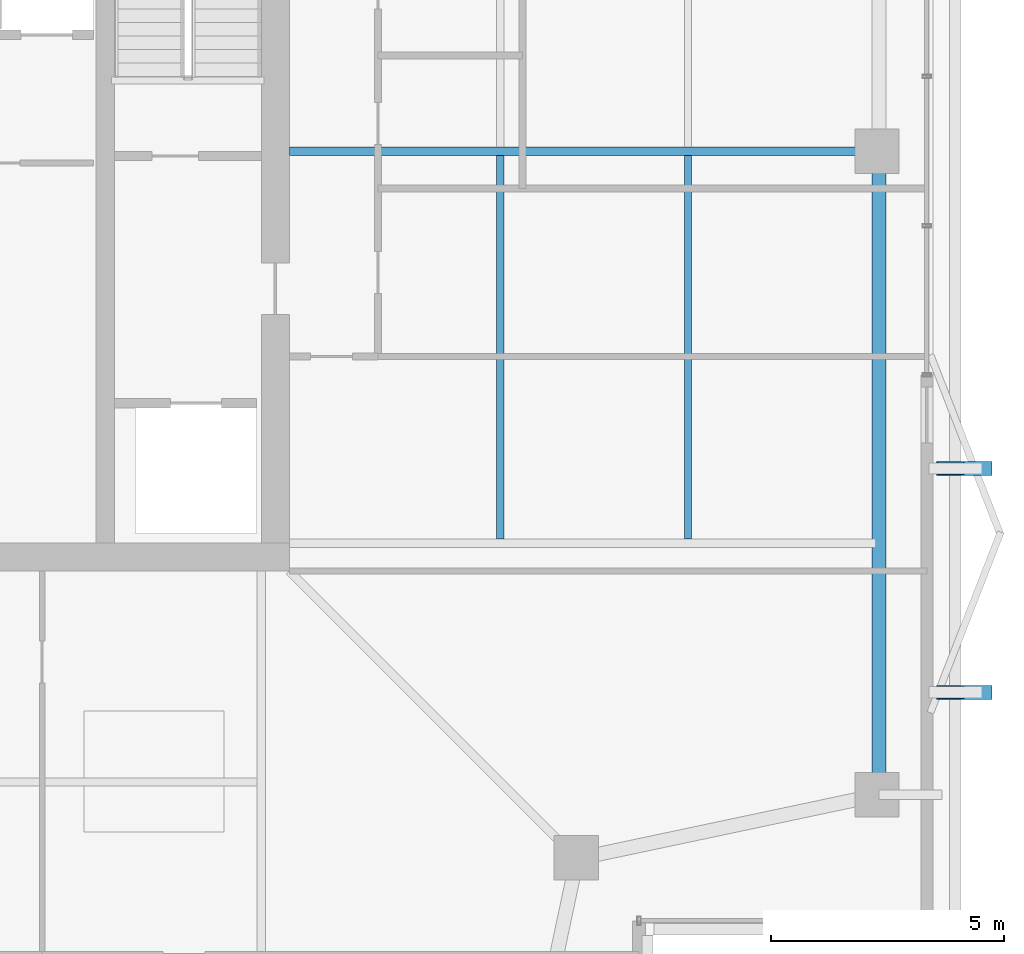
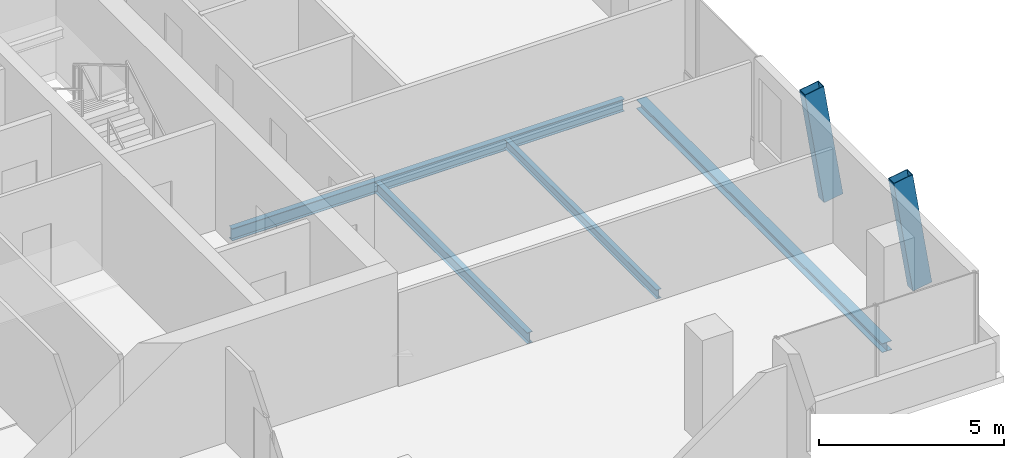
# One storey, part 10 of 26: 4 beams, 2 members.
"""IFC4 building model written with IfcOpenShell, lengths in metres."""

from ifc_helpers import new_model, si_unit, direction, frame, origin, origin_2d, place, context, subcontext, project, spatial, hollow_rectangle, i_section, extrude, material, material_profile, profile_set, type_object, element, save


model = new_model("IFC4")

# Units and contexts
model_context = context("Model", 3, precision=1e-05, world=origin(), true_north=direction((0.0, 1.0)))
body_context = subcontext(model_context, "Body", "Model", "MODEL_VIEW")
ifc_project = project(units=[si_unit("LENGTHUNIT", "METRE"), si_unit("AREAUNIT", "SQUARE_METRE"), si_unit("VOLUMEUNIT", "CUBIC_METRE"), si_unit("PLANEANGLEUNIT", "RADIAN"), si_unit("MASSUNIT", "GRAM", prefix="KILO")], contexts=[model_context])

# Site, building, storey
site_placement = place(None, origin())
site = spatial("IfcSite", under=ifc_project, at=site_placement, CompositionType="ELEMENT")
building_placement = place(site_placement, origin())
building = spatial("IfcBuilding", under=site, at=building_placement, Name="Belovzor Exchange Tower", CompositionType="ELEMENT")
storey_placement = place(building_placement, frame((0.0, 0.0, 295.5)))
storey = spatial("IfcBuildingStorey", under=building, at=storey_placement, Name="L73", CompositionType="ELEMENT", Elevation=295.5)

# Beams
ifc_material_1 = material(Name="Steel S355", Category="steel")
ifc_material_profile_1 = material_profile(ifc_material_1, i_section(OverallWidth=0.169921875, OverallDepth=0.360107421875, WebThickness=0.008056640625, FlangeThickness=0.0126953125, at=origin_2d()))
ifc_profile_set_1 = profile_set([ifc_material_profile_1], Name="Steel S355")
beam_type_1 = type_object("IfcBeamType", Name="Secondary Infill Floor Joist IPE 360", PredefinedType="BEAM", material=ifc_profile_set_1)
beam_1_placement = place(storey_placement, frame((42.322998046875, 20.489990234375, -0.419921875), z_axis=(0.0, 1.0, 0.0), x_axis=(-1.0, 0.0, 0.0)))
element("IfcBeam", 1, at=beam_1_placement, inside=storey, type_object=beam_type_1, Name="FJ-360 Secondary Infill Floor Joist IPE 360", PredefinedType="BEAM", context=body_context, shape_type="SweptSolid", body=[
    extrude(i_section(OverallWidth=0.169921875, OverallDepth=0.360107421875, WebThickness=0.008056640625, FlangeThickness=0.0126953125, at=origin_2d()), origin(), (0.0, 0.0, 1.0), 8.219970703125),
])
ifc_material_2 = material(Name="Steel S355", Category="steel")
ifc_material_profile_2 = material_profile(ifc_material_2, i_section(OverallWidth=0.14990234375, OverallDepth=0.300048828125, WebThickness=0.007080078125, FlangeThickness=0.0107421875, at=origin_2d()))
ifc_profile_set_2 = profile_set([ifc_material_profile_2], Name="Steel S355")
beam_type_2 = type_object("IfcBeamType", Name="Secondary Trim Floor Joist IPE 300", PredefinedType="BEAM", material=ifc_profile_set_2)
beam_2_placement = place(storey_placement, frame((46.343994140625, 20.489990234375, -0.389892578125), z_axis=(0.0, 1.0, 0.0), x_axis=(-1.0, 0.0, 0.0)))
element("IfcBeam", 2, at=beam_2_placement, inside=storey, type_object=beam_type_2, Name="FJ-300 Secondary Trim Floor Joist IPE 300", PredefinedType="BEAM", context=body_context, shape_type="SweptSolid", body=[
    extrude(i_section(OverallWidth=0.14990234375, OverallDepth=0.300048828125, WebThickness=0.007080078125, FlangeThickness=0.0107421875, at=origin_2d()), origin(), (0.0, 0.0, 1.0), 8.219970703125),
])

# Members
ifc_material_3 = material(Name="Extruded Architectural Terracotta on Steel S355 Carrier", Category="masonry")
ifc_material_profile_3 = material_profile(ifc_material_3, hollow_rectangle(XDim=0.300048828125, YDim=0.60009765625, WallThickness=0.01611328125, at=origin_2d()))
ifc_profile_set_3 = profile_set([ifc_material_profile_3], Name="Extruded Architectural Terracotta on Steel S355 Carrier")
member_type = type_object("IfcMemberType", Name="Upper Crown Terracotta Fin Assembly 550", PredefinedType="USERDEFINED", material=ifc_profile_set_3)
for number, where, z_axis, x_axis, name in (
    (3, (52.574951171875, 17.199951171875, -0.239990234375), (-0.157952891656, 0.0, 0.987446648694), (0.0, -1.0, 0.0), "FIN-TC055 Terracotta Facade Fin L73 E1"),
    (4, (52.574951171875, 22.0, -0.239990234375), (-0.157952891656, 0.0, 0.987446648694), (0.0, -1.0, 0.0), "FIN-TC055 Terracotta Facade Fin L73 E2"),
):
    element("IfcMember", number, at=place(storey_placement, frame(where, z_axis=z_axis, x_axis=x_axis)), inside=storey, type_object=member_type, Name=name, ObjectType="FIN", PredefinedType="USERDEFINED", context=body_context, shape_type="SweptSolid", body=[
        extrude(hollow_rectangle(XDim=0.300048828125, YDim=0.60009765625, WallThickness=0.01611328125, at=origin_2d()), origin(), (0.0, 0.0, 1.0), 3.797607421875),
    ])

# Beams
ifc_material_4 = material(Name="Steel S355", Category="steel")
ifc_material_profile_4 = material_profile(ifc_material_4, i_section(OverallWidth=0.179931640625, OverallDepth=0.39990234375, WebThickness=0.008544921875, FlangeThickness=0.013427734375, at=origin_2d()))
ifc_profile_set_4 = profile_set([ifc_material_profile_4], Name="Steel S355")
beam_type_3 = type_object("IfcBeamType", Name="Zone 5-6 Radial Composite Floor Beam IPE 400", PredefinedType="BEAM", material=ifc_profile_set_4)
beam_3_placement = place(storey_placement, frame((37.800048828125, 28.800048828125, -0.43994140625), z_axis=(1.0, 0.0, 0.0), x_axis=(0.0, 1.0, 0.0)))
element("IfcBeam", 5, at=beam_3_placement, inside=storey, type_object=beam_type_3, Name="FB-400 Zone 5-6 Radial Composite Floor Beam IPE 400", PredefinedType="BEAM", context=body_context, shape_type="SweptSolid", body=[
    extrude(i_section(OverallWidth=0.179931640625, OverallDepth=0.39990234375, WebThickness=0.008544921875, FlangeThickness=0.013427734375, at=origin_2d()), origin(), (0.0, 0.0, 1.0), 12.225830078125),
])
ifc_material_5 = material(Name="Steel S355", Category="steel")
ifc_material_profile_5 = material_profile(ifc_material_5, i_section(OverallWidth=0.300048828125, OverallDepth=0.300048828125, WebThickness=0.008544921875, FlangeThickness=0.013916015625, at=origin_2d()))
ifc_profile_set_5 = profile_set([ifc_material_profile_5], Name="Steel S355")
beam_type_4 = type_object("IfcBeamType", Name="Zone 6 Primary Girder HEA 300", PredefinedType="BEAM", material=ifc_profile_set_5)
beam_4_placement = place(storey_placement, frame((50.43896484375, 15.260986328125, -0.389892578125), z_axis=(0.0, 1.0, 0.0), x_axis=(-1.0, 0.0, 0.0)))
element("IfcBeam", 6, at=beam_4_placement, inside=storey, type_object=beam_type_4, Name="FG-Z6 Zone 6 Primary Girder HEA 300", PredefinedType="BEAM", context=body_context, shape_type="SweptSolid", body=[
    extrude(i_section(OverallWidth=0.300048828125, OverallDepth=0.300048828125, WebThickness=0.008544921875, FlangeThickness=0.013916015625, at=origin_2d()), origin(), (0.0, 0.0, 1.0), 13.278076171875),
])

save(model, "model.ifc")
